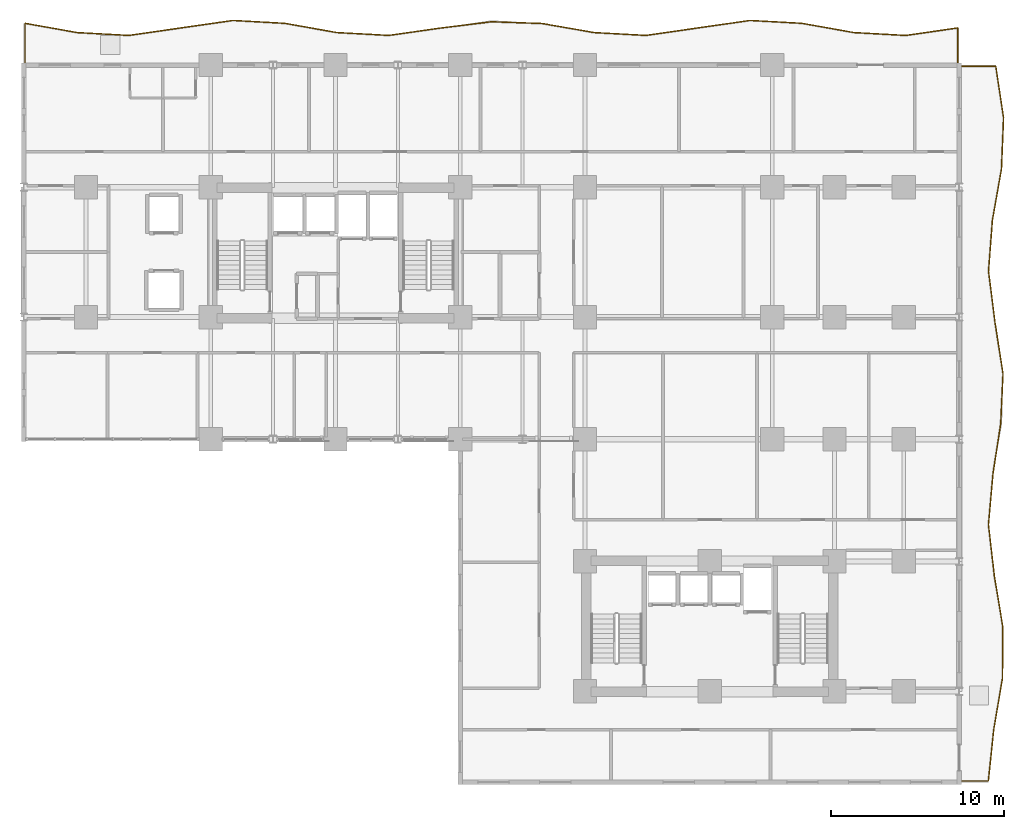
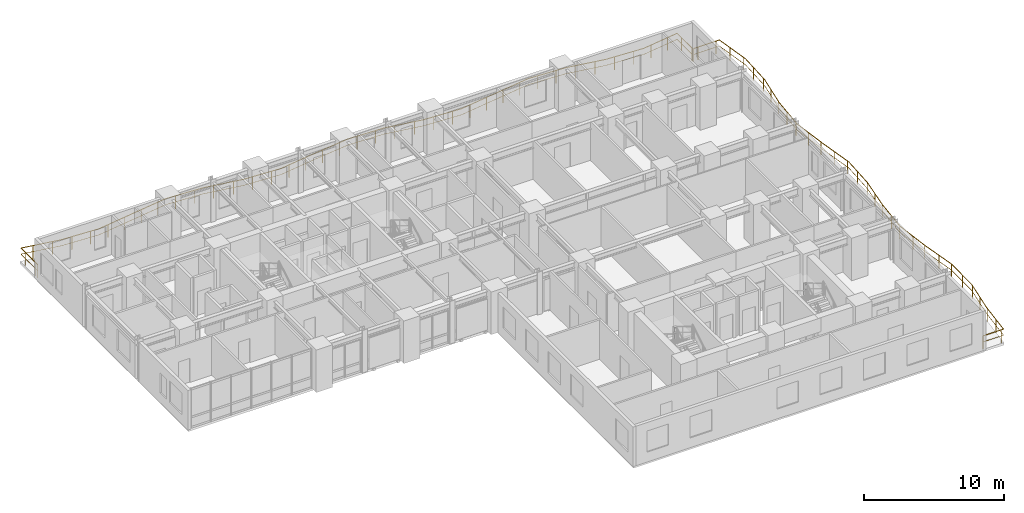
# One storey, part 17 of 17: 2 railings.
"""IFC4 building model written with IfcOpenShell, lengths in metres."""

from ifc_helpers import new_model, si_unit, direction, frame, origin, origin_2d, place, context, subcontext, project, spatial, rectangle, extrude, material, type_object, element, save


model = new_model("IFC4")

# Units and contexts
model_context = context("Model", 3, precision=1e-05, world=origin(), true_north=direction((0.0, 1.0)))
body_context = subcontext(model_context, "Body", "Model", "MODEL_VIEW")
ifc_project = project(units=[si_unit("LENGTHUNIT", "METRE"), si_unit("AREAUNIT", "SQUARE_METRE"), si_unit("VOLUMEUNIT", "CUBIC_METRE"), si_unit("PLANEANGLEUNIT", "RADIAN"), si_unit("MASSUNIT", "GRAM", prefix="KILO")], contexts=[model_context])

# Site, building, storey
site_placement = place(None, origin())
site = spatial("IfcSite", under=ifc_project, at=site_placement, CompositionType="ELEMENT")
building_placement = place(site_placement, origin())
building = spatial("IfcBuilding", under=site, at=building_placement, Name="Kaliganga Portal Commons", CompositionType="ELEMENT")
storey_placement = place(building_placement, frame((0.0, 0.0, 43.800048828125)))
storey = spatial("IfcBuildingStorey", under=building, at=storey_placement, Name="L10", CompositionType="ELEMENT", Elevation=43.800048828125)

# Railings
ifc_material = material(Name="Laminated Safety Glass and Stainless Steel 316", Category="steel")
railing_type = type_object("IfcRailingType", Name="RLG-BAL-1150", PredefinedType="BALUSTRADE", material=ifc_material)
railing_1_placement = place(storey_placement, frame((57.520263671875, 43.205810546875, 0.0)))
element("IfcRailing", 1, at=railing_1_placement, inside=storey, type_object=railing_type, Name="Balcony Guardrail L10 balc_north", PredefinedType="BALUSTRADE", context=body_context, shape_type="SweptSolid", body=[
    extrude(rectangle(XDim=0.048095703125, YDim=0.048095703125, at=origin_2d()), frame((0.0, 0.0, 1.1259765625), z_axis=(-0.000114259597, 0.999999993472, 0.0), x_axis=(-0.999999993472, -0.000114259597, 0.0)), (0.0, 0.0, 1.0), 2.13671875),
    extrude(rectangle(XDim=0.028076171875, YDim=0.028076171875, at=origin_2d()), frame((0.0, 0.0, 0.597900390625), z_axis=(-0.000114259597, 0.999999993472, 0.0), x_axis=(-0.999999993472, -0.000114259597, 0.0)), (0.0, 0.0, 1.0), 2.13671875),
    extrude(rectangle(XDim=0.048095703125, YDim=0.048095703125, at=origin_2d()), frame((-0.000244140625, 2.13671875, 1.1259765625), z_axis=(-0.989750378619, -0.142808221134, 0.0), x_axis=(0.142808221134, -0.989750378619, 0.0)), (0.0, 0.0, 1.0), 3.031005859375),
    extrude(rectangle(XDim=0.028076171875, YDim=0.028076171875, at=origin_2d()), frame((-0.000244140625, 2.13671875, 0.597900390625), z_axis=(-0.989750378619, -0.142808221134, 0.0), x_axis=(0.142808221134, -0.989750378619, 0.0)), (0.0, 0.0, 1.0), 3.031005859375),
    extrude(rectangle(XDim=0.048095703125, YDim=0.048095703125, at=origin_2d()), frame((-3.000244140625, 1.703857421875, 1.1259765625), z_axis=(-0.998485749874, 0.055010974338, 0.0), x_axis=(-0.055010974338, -0.998485749874, 0.0)), (0.0, 0.0, 1.0), 3.004638671875),
    extrude(rectangle(XDim=0.028076171875, YDim=0.028076171875, at=origin_2d()), frame((-3.000244140625, 1.703857421875, 0.597900390625), z_axis=(-0.998485749874, 0.055010974338, 0.0), x_axis=(-0.055010974338, -0.998485749874, 0.0)), (0.0, 0.0, 1.0), 3.004638671875),
    extrude(rectangle(XDim=0.048095703125, YDim=0.048095703125, at=origin_2d()), frame((-6.000244140625, 1.869140625, 1.1259765625), z_axis=(-0.984486939112, 0.175457877332, 0.0), x_axis=(-0.175457877332, -0.984486939112, 0.0)), (0.0, 0.0, 1.0), 3.04736328125),
    extrude(rectangle(XDim=0.028076171875, YDim=0.028076171875, at=origin_2d()), frame((-6.000244140625, 1.869140625, 0.597900390625), z_axis=(-0.984486939112, 0.175457877332, 0.0), x_axis=(-0.175457877332, -0.984486939112, 0.0)), (0.0, 0.0, 1.0), 3.04736328125),
    extrude(rectangle(XDim=0.048095703125, YDim=0.048095703125, at=origin_2d()), frame((-9.000244140625, 2.40380859375, 1.1259765625), z_axis=(-0.998499110246, 0.054767936223, 0.0), x_axis=(-0.054767936223, -0.998499110246, 0.0)), (0.0, 0.0, 1.0), 3.00439453125),
    extrude(rectangle(XDim=0.028076171875, YDim=0.028076171875, at=origin_2d()), frame((-9.000244140625, 2.40380859375, 0.597900390625), z_axis=(-0.998499110246, 0.054767936223, 0.0), x_axis=(-0.054767936223, -0.998499110246, 0.0)), (0.0, 0.0, 1.0), 3.00439453125),
    extrude(rectangle(XDim=0.048095703125, YDim=0.048095703125, at=origin_2d()), frame((-12.000244140625, 2.568359375, 1.1259765625), z_axis=(-0.989773136054, -0.14265040885, 0.0), x_axis=(0.14265040885, -0.989773136054, 0.0)), (0.0, 0.0, 1.0), 3.031005859375),
    extrude(rectangle(XDim=0.028076171875, YDim=0.028076171875, at=origin_2d()), frame((-12.000244140625, 2.568359375, 0.597900390625), z_axis=(-0.989773136054, -0.14265040885, 0.0), x_axis=(0.14265040885, -0.989773136054, 0.0)), (0.0, 0.0, 1.0), 3.031005859375),
    extrude(rectangle(XDim=0.048095703125, YDim=0.048095703125, at=origin_2d()), frame((-15.000244140625, 2.135986328125, 1.1259765625), z_axis=(-0.989841263629, -0.142176906763, 0.0), x_axis=(0.142176906763, -0.989841263629, 0.0)), (0.0, 0.0, 1.0), 3.03076171875),
    extrude(rectangle(XDim=0.028076171875, YDim=0.028076171875, at=origin_2d()), frame((-15.000244140625, 2.135986328125, 0.597900390625), z_axis=(-0.989841263629, -0.142176906763, 0.0), x_axis=(0.142176906763, -0.989841263629, 0.0)), (0.0, 0.0, 1.0), 3.03076171875),
    extrude(rectangle(XDim=0.048095703125, YDim=0.048095703125, at=origin_2d()), frame((-18.000244140625, 1.705078125, 1.1259765625), z_axis=(-0.998499110246, 0.054767936223, 0.0), x_axis=(-0.054767936223, -0.998499110246, 0.0)), (0.0, 0.0, 1.0), 3.00439453125),
    extrude(rectangle(XDim=0.028076171875, YDim=0.028076171875, at=origin_2d()), frame((-18.000244140625, 1.705078125, 0.597900390625), z_axis=(-0.998499110246, 0.054767936223, 0.0), x_axis=(-0.054767936223, -0.998499110246, 0.0)), (0.0, 0.0, 1.0), 3.00439453125),
    extrude(rectangle(XDim=0.048095703125, YDim=0.048095703125, at=origin_2d()), frame((-21.000244140625, 1.86962890625, 1.1259765625), z_axis=(-0.985121564342, 0.171858963887, 0.0), x_axis=(-0.171858963887, -0.985121564342, 0.0)), (0.0, 0.0, 1.0), 3.04443359375),
    extrude(rectangle(XDim=0.028076171875, YDim=0.028076171875, at=origin_2d()), frame((-21.000244140625, 1.86962890625, 0.597900390625), z_axis=(-0.985121564342, 0.171858963887, 0.0), x_axis=(-0.171858963887, -0.985121564342, 0.0)), (0.0, 0.0, 1.0), 3.04443359375),
    extrude(rectangle(XDim=0.048095703125, YDim=0.048095703125, at=origin_2d()), frame((-23.999267578125, 2.392822265625, 1.1259765625), z_axis=(-0.999427528085, 0.0338321756, 0.0), x_axis=(-0.0338321756, -0.999427528085, 0.0)), (0.0, 0.0, 1.0), 2.922607421875),
    extrude(rectangle(XDim=0.028076171875, YDim=0.028076171875, at=origin_2d()), frame((-23.999267578125, 2.392822265625, 0.597900390625), z_axis=(-0.999427528085, 0.0338321756, 0.0), x_axis=(-0.0338321756, -0.999427528085, 0.0)), (0.0, 0.0, 1.0), 2.922607421875),
    extrude(rectangle(XDim=0.048095703125, YDim=0.048095703125, at=origin_2d()), frame((-26.920166015625, 2.49169921875, 1.1259765625), z_axis=(-0.992483283696, -0.12238027449, 0.0), x_axis=(0.12238027449, -0.992483283696, 0.0)), (0.0, 0.0, 1.0), 2.942626953125),
    extrude(rectangle(XDim=0.028076171875, YDim=0.028076171875, at=origin_2d()), frame((-26.920166015625, 2.49169921875, 0.597900390625), z_axis=(-0.992483283696, -0.12238027449, 0.0), x_axis=(0.12238027449, -0.992483283696, 0.0)), (0.0, 0.0, 1.0), 2.942626953125),
    extrude(rectangle(XDim=0.048095703125, YDim=0.048095703125, at=origin_2d()), frame((-29.840576171875, 2.131591796875, 1.1259765625), z_axis=(-0.990076407613, -0.140530093178, 0.0), x_axis=(0.140530093178, -0.990076407613, 0.0)), (0.0, 0.0, 1.0), 3.02978515625),
    extrude(rectangle(XDim=0.028076171875, YDim=0.028076171875, at=origin_2d()), frame((-29.840576171875, 2.131591796875, 0.597900390625), z_axis=(-0.990076407613, -0.140530093178, 0.0), x_axis=(0.140530093178, -0.990076407613, 0.0)), (0.0, 0.0, 1.0), 3.02978515625),
    extrude(rectangle(XDim=0.048095703125, YDim=0.048095703125, at=origin_2d()), frame((-32.84033203125, 1.705810546875, 1.1259765625), z_axis=(-0.998516832602, 0.054443870267, 0.0), x_axis=(-0.054443870267, -0.998516832602, 0.0)), (0.0, 0.0, 1.0), 3.00439453125),
    extrude(rectangle(XDim=0.028076171875, YDim=0.028076171875, at=origin_2d()), frame((-32.84033203125, 1.705810546875, 0.597900390625), z_axis=(-0.998516832602, 0.054443870267, 0.0), x_axis=(-0.054443870267, -0.998516832602, 0.0)), (0.0, 0.0, 1.0), 3.00439453125),
    extrude(rectangle(XDim=0.048095703125, YDim=0.048095703125, at=origin_2d()), frame((-35.84033203125, 1.869384765625, 1.1259765625), z_axis=(-0.984569871158, 0.174991910694, 0.0), x_axis=(-0.174991910694, -0.984569871158, 0.0)), (0.0, 0.0, 1.0), 3.047119140625),
    extrude(rectangle(XDim=0.028076171875, YDim=0.028076171875, at=origin_2d()), frame((-35.84033203125, 1.869384765625, 0.597900390625), z_axis=(-0.984569871158, 0.174991910694, 0.0), x_axis=(-0.174991910694, -0.984569871158, 0.0)), (0.0, 0.0, 1.0), 3.047119140625),
    extrude(rectangle(XDim=0.048095703125, YDim=0.048095703125, at=origin_2d()), frame((-38.84033203125, 2.402587890625, 1.1259765625), z_axis=(-0.998476810296, 0.055172994319, 0.0), x_axis=(-0.055172994319, -0.998476810296, 0.0)), (0.0, 0.0, 1.0), 3.004638671875),
    extrude(rectangle(XDim=0.028076171875, YDim=0.028076171875, at=origin_2d()), frame((-38.84033203125, 2.402587890625, 0.597900390625), z_axis=(-0.998476810296, 0.055172994319, 0.0), x_axis=(-0.055172994319, -0.998476810296, 0.0)), (0.0, 0.0, 1.0), 3.004638671875),
    extrude(rectangle(XDim=0.048095703125, YDim=0.048095703125, at=origin_2d()), frame((-41.84033203125, 2.568359375, 1.1259765625), z_axis=(-0.989795869371, -0.142492585687, 0.0), x_axis=(0.142492585687, -0.989795869371, 0.0)), (0.0, 0.0, 1.0), 3.031005859375),
    extrude(rectangle(XDim=0.028076171875, YDim=0.028076171875, at=origin_2d()), frame((-41.84033203125, 2.568359375, 0.597900390625), z_axis=(-0.989795869371, -0.142492585687, 0.0), x_axis=(0.142492585687, -0.989795869371, 0.0)), (0.0, 0.0, 1.0), 3.031005859375),
    extrude(rectangle(XDim=0.048095703125, YDim=0.048095703125, at=origin_2d()), frame((-44.84033203125, 2.136474609375, 1.1259765625), z_axis=(-0.989761760351, -0.142729316353, 0.0), x_axis=(0.142729316353, -0.989761760351, 0.0)), (0.0, 0.0, 1.0), 3.031005859375),
    extrude(rectangle(XDim=0.028076171875, YDim=0.028076171875, at=origin_2d()), frame((-44.84033203125, 2.136474609375, 0.597900390625), z_axis=(-0.989761760351, -0.142729316353, 0.0), x_axis=(0.142729316353, -0.989761760351, 0.0)), (0.0, 0.0, 1.0), 3.031005859375),
    extrude(rectangle(XDim=0.048095703125, YDim=0.048095703125, at=origin_2d()), frame((-47.84033203125, 1.703857421875, 1.1259765625), z_axis=(-0.998485749874, 0.055010974338, 0.0), x_axis=(-0.055010974338, -0.998485749874, 0.0)), (0.0, 0.0, 1.0), 3.004638671875),
    extrude(rectangle(XDim=0.028076171875, YDim=0.028076171875, at=origin_2d()), frame((-47.84033203125, 1.703857421875, 0.597900390625), z_axis=(-0.998485749874, 0.055010974338, 0.0), x_axis=(-0.055010974338, -0.998485749874, 0.0)), (0.0, 0.0, 1.0), 3.004638671875),
    extrude(rectangle(XDim=0.048095703125, YDim=0.048095703125, at=origin_2d()), frame((-50.84033203125, 1.869140625, 1.1259765625), z_axis=(-0.984459249203, 0.175613173361, 0.0), x_axis=(-0.175613173361, -0.984459249203, 0.0)), (0.0, 0.0, 1.0), 3.04736328125),
    extrude(rectangle(XDim=0.028076171875, YDim=0.028076171875, at=origin_2d()), frame((-50.84033203125, 1.869140625, 0.597900390625), z_axis=(-0.984459249203, 0.175613173361, 0.0), x_axis=(-0.175613173361, -0.984459249203, 0.0)), (0.0, 0.0, 1.0), 3.04736328125),
    extrude(rectangle(XDim=0.048095703125, YDim=0.048095703125, at=origin_2d()), frame((-53.84033203125, 2.404296875, 1.1259765625), z_axis=(-0.00010154346, -0.999999994844, 0.0), x_axis=(0.999999994844, -0.00010154346, 0.0)), (0.0, 0.0, 1.0), 2.404296875),
    extrude(rectangle(XDim=0.028076171875, YDim=0.028076171875, at=origin_2d()), frame((-53.84033203125, 2.404296875, 0.597900390625), z_axis=(-0.00010154346, -0.999999994844, 0.0), x_axis=(0.999999994844, -0.00010154346, 0.0)), (0.0, 0.0, 1.0), 2.404296875),
    extrude(rectangle(XDim=0.0419921875, YDim=0.0419921875, at=origin_2d()), origin(), (0.0, 0.0, 1.0), 1.101806640625),
    extrude(rectangle(XDim=0.0419921875, YDim=0.0419921875, at=origin_2d()), frame((-0.000244140625, 1.5, 0.0)), (0.0, 0.0, 1.0), 1.101806640625),
    extrude(rectangle(XDim=0.0419921875, YDim=0.0419921875, at=origin_2d()), frame((-0.854736328125, 2.013427734375, 0.0)), (0.0, 0.0, 1.0), 1.101806640625),
    extrude(rectangle(XDim=0.0419921875, YDim=0.0419921875, at=origin_2d()), frame((-2.33935546875, 1.79931640625, 0.0)), (0.0, 0.0, 1.0), 1.101806640625),
    extrude(rectangle(XDim=0.0419921875, YDim=0.0419921875, at=origin_2d()), frame((-3.831298828125, 1.749755859375, 0.0)), (0.0, 0.0, 1.0), 1.101806640625),
    extrude(rectangle(XDim=0.0419921875, YDim=0.0419921875, at=origin_2d()), frame((-5.328857421875, 1.832275390625, 0.0)), (0.0, 0.0, 1.0), 1.101806640625),
    extrude(rectangle(XDim=0.0419921875, YDim=0.0419921875, at=origin_2d()), frame((-6.815185546875, 2.014404296875, 0.0)), (0.0, 0.0, 1.0), 1.101806640625),
    extrude(rectangle(XDim=0.0419921875, YDim=0.0419921875, at=origin_2d()), frame((-8.291748046875, 2.277587890625, 0.0)), (0.0, 0.0, 1.0), 1.101806640625),
    extrude(rectangle(XDim=0.0419921875, YDim=0.0419921875, at=origin_2d()), frame((-9.779541015625, 2.446533203125, 0.0)), (0.0, 0.0, 1.0), 1.101806640625),
    extrude(rectangle(XDim=0.0419921875, YDim=0.0419921875, at=origin_2d()), frame((-11.277099609375, 2.52880859375, 0.0)), (0.0, 0.0, 1.0), 1.101806640625),
    extrude(rectangle(XDim=0.0419921875, YDim=0.0419921875, at=origin_2d()), frame((-12.768310546875, 2.457763671875, 0.0)), (0.0, 0.0, 1.0), 1.101806640625),
    extrude(rectangle(XDim=0.0419921875, YDim=0.0419921875, at=origin_2d()), frame((-14.2529296875, 2.24365234375, 0.0)), (0.0, 0.0, 1.0), 1.101806640625),
    extrude(rectangle(XDim=0.0419921875, YDim=0.0419921875, at=origin_2d()), frame((-15.737548828125, 2.030029296875, 0.0)), (0.0, 0.0, 1.0), 1.101806640625),
    extrude(rectangle(XDim=0.0419921875, YDim=0.0419921875, at=origin_2d()), frame((-17.222412109375, 1.81689453125, 0.0)), (0.0, 0.0, 1.0), 1.101806640625),
    extrude(rectangle(XDim=0.0419921875, YDim=0.0419921875, at=origin_2d()), frame((-18.71337890625, 1.744140625, 0.0)), (0.0, 0.0, 1.0), 1.101806640625),
    extrude(rectangle(XDim=0.0419921875, YDim=0.0419921875, at=origin_2d()), frame((-20.2109375, 1.826416015625, 0.0)), (0.0, 0.0, 1.0), 1.101806640625),
    extrude(rectangle(XDim=0.0419921875, YDim=0.0419921875, at=origin_2d()), frame((-21.69921875, 1.99169921875, 0.0)), (0.0, 0.0, 1.0), 1.101806640625),
    extrude(rectangle(XDim=0.0419921875, YDim=0.0419921875, at=origin_2d()), frame((-23.177001953125, 2.249267578125, 0.0)), (0.0, 0.0, 1.0), 1.101806640625),
    extrude(rectangle(XDim=0.0419921875, YDim=0.0419921875, at=origin_2d()), frame((-24.6640625, 2.415283203125, 0.0)), (0.0, 0.0, 1.0), 1.101806640625),
    extrude(rectangle(XDim=0.0419921875, YDim=0.0419921875, at=origin_2d()), frame((-26.163330078125, 2.466064453125, 0.0)), (0.0, 0.0, 1.0), 1.101806640625),
    extrude(rectangle(XDim=0.0419921875, YDim=0.0419921875, at=origin_2d()), frame((-27.6572265625, 2.40087890625, 0.0)), (0.0, 0.0, 1.0), 1.101806640625),
    extrude(rectangle(XDim=0.0419921875, YDim=0.0419921875, at=origin_2d()), frame((-29.14599609375, 2.21728515625, 0.0)), (0.0, 0.0, 1.0), 1.101806640625),
    extrude(rectangle(XDim=0.0419921875, YDim=0.0419921875, at=origin_2d()), frame((-30.6328125, 2.01904296875, 0.0)), (0.0, 0.0, 1.0), 1.101806640625),
    extrude(rectangle(XDim=0.0419921875, YDim=0.0419921875, at=origin_2d()), frame((-32.117919921875, 1.808349609375, 0.0)), (0.0, 0.0, 1.0), 1.101806640625),
    extrude(rectangle(XDim=0.0419921875, YDim=0.0419921875, at=origin_2d()), frame((-33.609619140625, 1.747802734375, 0.0)), (0.0, 0.0, 1.0), 1.101806640625),
    extrude(rectangle(XDim=0.0419921875, YDim=0.0419921875, at=origin_2d()), frame((-35.107421875, 1.829345703125, 0.0)), (0.0, 0.0, 1.0), 1.101806640625),
    extrude(rectangle(XDim=0.0419921875, YDim=0.0419921875, at=origin_2d()), frame((-36.594482421875, 2.00341796875, 0.0)), (0.0, 0.0, 1.0), 1.101806640625),
    extrude(rectangle(XDim=0.0419921875, YDim=0.0419921875, at=origin_2d()), frame((-38.0712890625, 2.265869140625, 0.0)), (0.0, 0.0, 1.0), 1.101806640625),
    extrude(rectangle(XDim=0.0419921875, YDim=0.0419921875, at=origin_2d()), frame((-39.55810546875, 2.442138671875, 0.0)), (0.0, 0.0, 1.0), 1.101806640625),
    extrude(rectangle(XDim=0.0419921875, YDim=0.0419921875, at=origin_2d()), frame((-41.055908203125, 2.52490234375, 0.0)), (0.0, 0.0, 1.0), 1.101806640625),
    extrude(rectangle(XDim=0.0419921875, YDim=0.0419921875, at=origin_2d()), frame((-42.54736328125, 2.466552734375, 0.0)), (0.0, 0.0, 1.0), 1.101806640625),
    extrude(rectangle(XDim=0.0419921875, YDim=0.0419921875, at=origin_2d()), frame((-44.031982421875, 2.2529296875, 0.0)), (0.0, 0.0, 1.0), 1.101806640625),
    extrude(rectangle(XDim=0.0419921875, YDim=0.0419921875, at=origin_2d()), frame((-45.5166015625, 2.038818359375, 0.0)), (0.0, 0.0, 1.0), 1.101806640625),
    extrude(rectangle(XDim=0.0419921875, YDim=0.0419921875, at=origin_2d()), frame((-47.00146484375, 1.824951171875, 0.0)), (0.0, 0.0, 1.0), 1.101806640625),
    extrude(rectangle(XDim=0.0419921875, YDim=0.0419921875, at=origin_2d()), frame((-48.49169921875, 1.73974609375, 0.0)), (0.0, 0.0, 1.0), 1.101806640625),
    extrude(rectangle(XDim=0.0419921875, YDim=0.0419921875, at=origin_2d()), frame((-49.989501953125, 1.822265625, 0.0)), (0.0, 0.0, 1.0), 1.101806640625),
    extrude(rectangle(XDim=0.0419921875, YDim=0.0419921875, at=origin_2d()), frame((-51.47802734375, 1.98291015625, 0.0)), (0.0, 0.0, 1.0), 1.101806640625),
    extrude(rectangle(XDim=0.0419921875, YDim=0.0419921875, at=origin_2d()), frame((-52.954833984375, 2.246337890625, 0.0)), (0.0, 0.0, 1.0), 1.101806640625),
    extrude(rectangle(XDim=0.0419921875, YDim=0.0419921875, at=origin_2d()), frame((-53.84033203125, 1.803955078125, 0.0)), (0.0, 0.0, 1.0), 1.101806640625),
    extrude(rectangle(XDim=0.0419921875, YDim=0.0419921875, at=origin_2d()), frame((-53.840576171875, 0.303955078125, 0.0)), (0.0, 0.0, 1.0), 1.101806640625),
    extrude(rectangle(XDim=0.0419921875, YDim=0.0419921875, at=origin_2d()), frame((-53.840576171875, 0.0, 0.0)), (0.0, 0.0, 1.0), 1.101806640625),
])
railing_2_placement = place(storey_placement, frame((57.607421875, 1.879638671875, 0.0)))
element("IfcRailing", 2, at=railing_2_placement, inside=storey, type_object=railing_type, Name="Balcony Guardrail L10 balc_east", PredefinedType="BALUSTRADE", context=body_context, shape_type="SweptSolid", body=[
    extrude(rectangle(XDim=0.048095703125, YDim=0.048095703125, at=origin_2d()), frame((0.0, 0.0, 1.1259765625), z_axis=(0.99999998944, 0.000145327712, 0.0), x_axis=(-0.000145327712, 0.99999998944, 0.0)), (0.0, 0.0, 1.0), 1.679931640625),
    extrude(rectangle(XDim=0.028076171875, YDim=0.028076171875, at=origin_2d()), frame((0.0, 0.0, 0.597900390625), z_axis=(0.99999998944, 0.000145327712, 0.0), x_axis=(-0.000145327712, 0.99999998944, 0.0)), (0.0, 0.0, 1.0), 1.679931640625),
    extrude(rectangle(XDim=0.048095703125, YDim=0.048095703125, at=origin_2d()), frame((1.679931640625, 0.000244140625, 1.1259765625), z_axis=(0.103137283584, 0.994667130619, 0.0), x_axis=(-0.994667130619, 0.103137283584, 0.0)), (0.0, 0.0, 1.0), 2.97314453125),
    extrude(rectangle(XDim=0.028076171875, YDim=0.028076171875, at=origin_2d()), frame((1.679931640625, 0.000244140625, 0.597900390625), z_axis=(0.103137283584, 0.994667130619, 0.0), x_axis=(-0.994667130619, 0.103137283584, 0.0)), (0.0, 0.0, 1.0), 2.97314453125),
    extrude(rectangle(XDim=0.048095703125, YDim=0.048095703125, at=origin_2d()), frame((1.986572265625, 2.95751953125, 1.1259765625), z_axis=(0.168541402358, 0.985694575257, 0.0), x_axis=(-0.985694575257, 0.168541402358, 0.0)), (0.0, 0.0, 1.0), 3.0),
    extrude(rectangle(XDim=0.028076171875, YDim=0.028076171875, at=origin_2d()), frame((1.986572265625, 2.95751953125, 0.597900390625), z_axis=(0.168541402358, 0.985694575257, 0.0), x_axis=(-0.985694575257, 0.168541402358, 0.0)), (0.0, 0.0, 1.0), 3.0),
    extrude(rectangle(XDim=0.048095703125, YDim=0.048095703125, at=origin_2d()), frame((2.4921875, 5.91455078125, 1.1259765625), z_axis=(0.0076781092, 0.999970522885, 0.0), x_axis=(-0.999970522885, 0.0076781092, 0.0)), (0.0, 0.0, 1.0), 2.95703125),
    extrude(rectangle(XDim=0.028076171875, YDim=0.028076171875, at=origin_2d()), frame((2.4921875, 5.91455078125, 0.597900390625), z_axis=(0.0076781092, 0.999970522885, 0.0), x_axis=(-0.999970522885, 0.0076781092, 0.0)), (0.0, 0.0, 1.0), 2.95703125),
    extrude(rectangle(XDim=0.048095703125, YDim=0.048095703125, at=origin_2d()), frame((2.514892578125, 8.87158203125, 1.1259765625), z_axis=(-0.163461188749, 0.986549765482, 0.0), x_axis=(-0.986549765482, -0.163461188749, 0.0)), (0.0, 0.0, 1.0), 2.99755859375),
    extrude(rectangle(XDim=0.028076171875, YDim=0.028076171875, at=origin_2d()), frame((2.514892578125, 8.87158203125, 0.597900390625), z_axis=(-0.163461188749, 0.986549765482, 0.0), x_axis=(-0.986549765482, -0.163461188749, 0.0)), (0.0, 0.0, 1.0), 2.99755859375),
    extrude(rectangle(XDim=0.048095703125, YDim=0.048095703125, at=origin_2d()), frame((2.02490234375, 11.828857421875, 1.1259765625), z_axis=(-0.114652123558, 0.993405702905, 0.0), x_axis=(-0.993405702905, -0.114652123558, 0.0)), (0.0, 0.0, 1.0), 2.976806640625),
    extrude(rectangle(XDim=0.028076171875, YDim=0.028076171875, at=origin_2d()), frame((2.02490234375, 11.828857421875, 0.597900390625), z_axis=(-0.114652123558, 0.993405702905, 0.0), x_axis=(-0.993405702905, -0.114652123558, 0.0)), (0.0, 0.0, 1.0), 2.976806640625),
    extrude(rectangle(XDim=0.048095703125, YDim=0.048095703125, at=origin_2d()), frame((1.68359375, 14.7861328125, 1.1259765625), z_axis=(0.088815385838, 0.996048104882, 0.0), x_axis=(-0.996048104882, 0.088815385838, 0.0)), (0.0, 0.0, 1.0), 2.96875),
    extrude(rectangle(XDim=0.028076171875, YDim=0.028076171875, at=origin_2d()), frame((1.68359375, 14.7861328125, 0.597900390625), z_axis=(0.088815385838, 0.996048104882, 0.0), x_axis=(-0.996048104882, 0.088815385838, 0.0)), (0.0, 0.0, 1.0), 2.96875),
    extrude(rectangle(XDim=0.048095703125, YDim=0.048095703125, at=origin_2d()), frame((1.947265625, 17.7431640625, 1.1259765625), z_axis=(0.151641202733, 0.988435605203, 0.0), x_axis=(-0.988435605203, 0.151641202733, 0.0)), (0.0, 0.0, 1.0), 2.910888671875),
    extrude(rectangle(XDim=0.028076171875, YDim=0.028076171875, at=origin_2d()), frame((1.947265625, 17.7431640625, 0.597900390625), z_axis=(0.151641202733, 0.988435605203, 0.0), x_axis=(-0.988435605203, 0.151641202733, 0.0)), (0.0, 0.0, 1.0), 2.910888671875),
    extrude(rectangle(XDim=0.048095703125, YDim=0.048095703125, at=origin_2d()), frame((2.388671875, 20.620361328125, 1.1259765625), z_axis=(0.046506612295, 0.998917982125, 0.0), x_axis=(-0.998917982125, 0.046506612295, 0.0)), (0.0, 0.0, 1.0), 2.882080078125),
    extrude(rectangle(XDim=0.028076171875, YDim=0.028076171875, at=origin_2d()), frame((2.388671875, 20.620361328125, 0.597900390625), z_axis=(0.046506612295, 0.998917982125, 0.0), x_axis=(-0.998917982125, 0.046506612295, 0.0)), (0.0, 0.0, 1.0), 2.882080078125),
    extrude(rectangle(XDim=0.048095703125, YDim=0.048095703125, at=origin_2d()), frame((2.522705078125, 23.499267578125, 1.1259765625), z_axis=(-0.153388181344, 0.988166011267, 0.0), x_axis=(-0.988166011267, -0.153388181344, 0.0)), (0.0, 0.0, 1.0), 2.99072265625),
    extrude(rectangle(XDim=0.028076171875, YDim=0.028076171875, at=origin_2d()), frame((2.522705078125, 23.499267578125, 0.597900390625), z_axis=(-0.153388181344, 0.988166011267, 0.0), x_axis=(-0.988166011267, -0.153388181344, 0.0)), (0.0, 0.0, 1.0), 2.99072265625),
    extrude(rectangle(XDim=0.048095703125, YDim=0.048095703125, at=origin_2d()), frame((2.06396484375, 26.45458984375, 1.1259765625), z_axis=(-0.126040341348, 0.992025116795, 0.0), x_axis=(-0.992025116795, -0.126040341348, 0.0)), (0.0, 0.0, 1.0), 2.98095703125),
    extrude(rectangle(XDim=0.028076171875, YDim=0.028076171875, at=origin_2d()), frame((2.06396484375, 26.45458984375, 0.597900390625), z_axis=(-0.126040341348, 0.992025116795, 0.0), x_axis=(-0.992025116795, -0.126040341348, 0.0)), (0.0, 0.0, 1.0), 2.98095703125),
    extrude(rectangle(XDim=0.048095703125, YDim=0.048095703125, at=origin_2d()), frame((1.688232421875, 29.411865234375, 1.1259765625), z_axis=(0.075412123975, 0.997152451513, 0.0), x_axis=(-0.997152451513, 0.075412123975, 0.0)), (0.0, 0.0, 1.0), 2.965576171875),
    extrude(rectangle(XDim=0.028076171875, YDim=0.028076171875, at=origin_2d()), frame((1.688232421875, 29.411865234375, 0.597900390625), z_axis=(0.075412123975, 0.997152451513, 0.0), x_axis=(-0.997152451513, 0.075412123975, 0.0)), (0.0, 0.0, 1.0), 2.965576171875),
    extrude(rectangle(XDim=0.048095703125, YDim=0.048095703125, at=origin_2d()), frame((1.911865234375, 32.368896484375, 1.1259765625), z_axis=(0.17460606148, 0.984638371837, 0.0), x_axis=(-0.984638371837, 0.17460606148, 0.0)), (0.0, 0.0, 1.0), 3.00341796875),
    extrude(rectangle(XDim=0.028076171875, YDim=0.028076171875, at=origin_2d()), frame((1.911865234375, 32.368896484375, 0.597900390625), z_axis=(0.17460606148, 0.984638371837, 0.0), x_axis=(-0.984638371837, 0.17460606148, 0.0)), (0.0, 0.0, 1.0), 3.00341796875),
    extrude(rectangle(XDim=0.048095703125, YDim=0.048095703125, at=origin_2d()), frame((2.436279296875, 35.326171875, 1.1259765625), z_axis=(0.039925211978, 0.999202670857, 0.0), x_axis=(-0.999202670857, 0.039925211978, 0.0)), (0.0, 0.0, 1.0), 2.959716796875),
    extrude(rectangle(XDim=0.028076171875, YDim=0.028076171875, at=origin_2d()), frame((2.436279296875, 35.326171875, 0.597900390625), z_axis=(0.039925211978, 0.999202670857, 0.0), x_axis=(-0.999202670857, 0.039925211978, 0.0)), (0.0, 0.0, 1.0), 2.959716796875),
    extrude(rectangle(XDim=0.048095703125, YDim=0.048095703125, at=origin_2d()), frame((2.554443359375, 38.283447265625, 1.1259765625), z_axis=(-0.149793288617, 0.98871733609, 0.0), x_axis=(-0.98871733609, -0.149793288617, 0.0)), (0.0, 0.0, 1.0), 2.99072265625),
    extrude(rectangle(XDim=0.028076171875, YDim=0.028076171875, at=origin_2d()), frame((2.554443359375, 38.283447265625, 0.597900390625), z_axis=(-0.149793288617, 0.98871733609, 0.0), x_axis=(-0.98871733609, -0.149793288617, 0.0)), (0.0, 0.0, 1.0), 2.99072265625),
    extrude(rectangle(XDim=0.048095703125, YDim=0.048095703125, at=origin_2d()), frame((2.1064453125, 41.240478515625, 1.1259765625), z_axis=(-0.999999993283, 0.000115901715, 0.0), x_axis=(-0.000115901715, -0.999999993283, 0.0)), (0.0, 0.0, 1.0), 2.1064453125),
    extrude(rectangle(XDim=0.028076171875, YDim=0.028076171875, at=origin_2d()), frame((2.1064453125, 41.240478515625, 0.597900390625), z_axis=(-0.999999993283, 0.000115901715, 0.0), x_axis=(-0.000115901715, -0.999999993283, 0.0)), (0.0, 0.0, 1.0), 2.1064453125),
    extrude(rectangle(XDim=0.0419921875, YDim=0.0419921875, at=origin_2d()), origin(), (0.0, 0.0, 1.0), 1.101806640625),
    extrude(rectangle(XDim=0.0419921875, YDim=0.0419921875, at=origin_2d()), frame((1.5, 0.000244140625, 0.0)), (0.0, 0.0, 1.0), 1.101806640625),
    extrude(rectangle(XDim=0.0419921875, YDim=0.0419921875, at=origin_2d()), frame((1.816162109375, 1.313232421875, 0.0)), (0.0, 0.0, 1.0), 1.101806640625),
    extrude(rectangle(XDim=0.0419921875, YDim=0.0419921875, at=origin_2d()), frame((1.970703125, 2.80517578125, 0.0)), (0.0, 0.0, 1.0), 1.101806640625),
    extrude(rectangle(XDim=0.0419921875, YDim=0.0419921875, at=origin_2d()), frame((2.213623046875, 4.28515625, 0.0)), (0.0, 0.0, 1.0), 1.101806640625),
    extrude(rectangle(XDim=0.0419921875, YDim=0.0419921875, at=origin_2d()), frame((2.46630859375, 5.763671875, 0.0)), (0.0, 0.0, 1.0), 1.101806640625),
    extrude(rectangle(XDim=0.0419921875, YDim=0.0419921875, at=origin_2d()), frame((2.50244140625, 7.261474609375, 0.0)), (0.0, 0.0, 1.0), 1.101806640625),
    extrude(rectangle(XDim=0.0419921875, YDim=0.0419921875, at=origin_2d()), frame((2.514892578125, 8.87158203125, 0.0)), (0.0, 0.0, 1.0), 1.101806640625),
    extrude(rectangle(XDim=0.0419921875, YDim=0.0419921875, at=origin_2d()), frame((2.28759765625, 10.24267578125, 0.0)), (0.0, 0.0, 1.0), 1.101806640625),
    extrude(rectangle(XDim=0.0419921875, YDim=0.0419921875, at=origin_2d()), frame((2.02490234375, 11.828857421875, 0.0)), (0.0, 0.0, 1.0), 1.101806640625),
    extrude(rectangle(XDim=0.0419921875, YDim=0.0419921875, at=origin_2d()), frame((1.865234375, 13.2119140625, 0.0)), (0.0, 0.0, 1.0), 1.101806640625),
    extrude(rectangle(XDim=0.0419921875, YDim=0.0419921875, at=origin_2d()), frame((1.68359375, 14.7861328125, 0.0)), (0.0, 0.0, 1.0), 1.101806640625),
    extrude(rectangle(XDim=0.0419921875, YDim=0.0419921875, at=origin_2d()), frame((1.809326171875, 16.19580078125, 0.0)), (0.0, 0.0, 1.0), 1.101806640625),
    extrude(rectangle(XDim=0.0419921875, YDim=0.0419921875, at=origin_2d()), frame((1.947265625, 17.7431640625, 0.0)), (0.0, 0.0, 1.0), 1.101806640625),
    extrude(rectangle(XDim=0.0419921875, YDim=0.0419921875, at=origin_2d()), frame((2.166748046875, 19.173095703125, 0.0)), (0.0, 0.0, 1.0), 1.101806640625),
    extrude(rectangle(XDim=0.0419921875, YDim=0.0419921875, at=origin_2d()), frame((2.390380859375, 20.656005859375, 0.0)), (0.0, 0.0, 1.0), 1.101806640625),
    extrude(rectangle(XDim=0.0419921875, YDim=0.0419921875, at=origin_2d()), frame((2.460205078125, 22.154541015625, 0.0)), (0.0, 0.0, 1.0), 1.101806640625),
    extrude(rectangle(XDim=0.0419921875, YDim=0.0419921875, at=origin_2d()), frame((2.4990234375, 23.651123046875, 0.0)), (0.0, 0.0, 1.0), 1.101806640625),
    extrude(rectangle(XDim=0.0419921875, YDim=0.0419921875, at=origin_2d()), frame((2.26904296875, 25.13330078125, 0.0)), (0.0, 0.0, 1.0), 1.101806640625),
    extrude(rectangle(XDim=0.0419921875, YDim=0.0419921875, at=origin_2d()), frame((2.04345703125, 26.6162109375, 0.0)), (0.0, 0.0, 1.0), 1.101806640625),
    extrude(rectangle(XDim=0.0419921875, YDim=0.0419921875, at=origin_2d()), frame((1.854248046875, 28.104248046875, 0.0)), (0.0, 0.0, 1.0), 1.101806640625),
    extrude(rectangle(XDim=0.0419921875, YDim=0.0419921875, at=origin_2d()), frame((1.701904296875, 29.59326171875, 0.0)), (0.0, 0.0, 1.0), 1.101806640625),
    extrude(rectangle(XDim=0.0419921875, YDim=0.0419921875, at=origin_2d()), frame((1.815185546875, 31.089111328125, 0.0)), (0.0, 0.0, 1.0), 1.101806640625),
    extrude(rectangle(XDim=0.0419921875, YDim=0.0419921875, at=origin_2d()), frame((1.94970703125, 32.58203125, 0.0)), (0.0, 0.0, 1.0), 1.101806640625),
    extrude(rectangle(XDim=0.0419921875, YDim=0.0419921875, at=origin_2d()), frame((2.211669921875, 34.05908203125, 0.0)), (0.0, 0.0, 1.0), 1.101806640625),
    extrude(rectangle(XDim=0.0419921875, YDim=0.0419921875, at=origin_2d()), frame((2.44482421875, 35.5390625, 0.0)), (0.0, 0.0, 1.0), 1.101806640625),
    extrude(rectangle(XDim=0.0419921875, YDim=0.0419921875, at=origin_2d()), frame((2.504638671875, 37.037841796875, 0.0)), (0.0, 0.0, 1.0), 1.101806640625),
    extrude(rectangle(XDim=0.0419921875, YDim=0.0419921875, at=origin_2d()), frame((2.5166015625, 38.533935546875, 0.0)), (0.0, 0.0, 1.0), 1.101806640625),
    extrude(rectangle(XDim=0.0419921875, YDim=0.0419921875, at=origin_2d()), frame((2.291748046875, 40.01708984375, 0.0)), (0.0, 0.0, 1.0), 1.101806640625),
    extrude(rectangle(XDim=0.0419921875, YDim=0.0419921875, at=origin_2d()), frame((1.84375, 41.240478515625, 0.0)), (0.0, 0.0, 1.0), 1.101806640625),
    extrude(rectangle(XDim=0.0419921875, YDim=0.0419921875, at=origin_2d()), frame((0.34375, 41.24072265625, 0.0)), (0.0, 0.0, 1.0), 1.101806640625),
    extrude(rectangle(XDim=0.0419921875, YDim=0.0419921875, at=origin_2d()), frame((0.0, 41.24072265625, 0.0)), (0.0, 0.0, 1.0), 1.101806640625),
])

save(model, "model.ifc")
